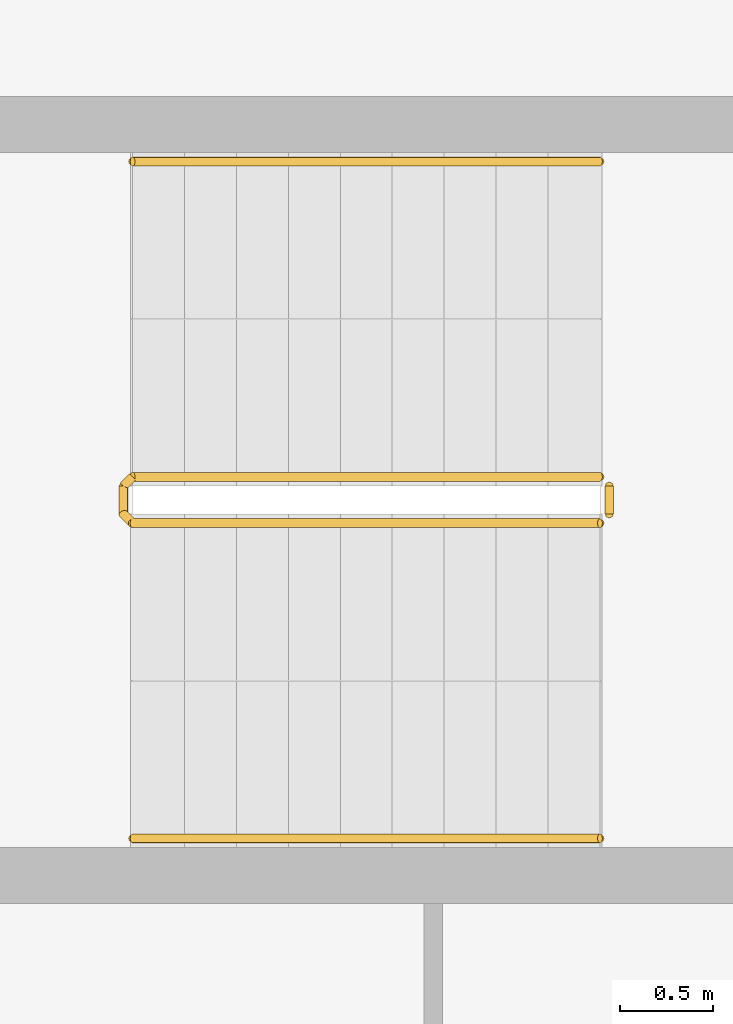
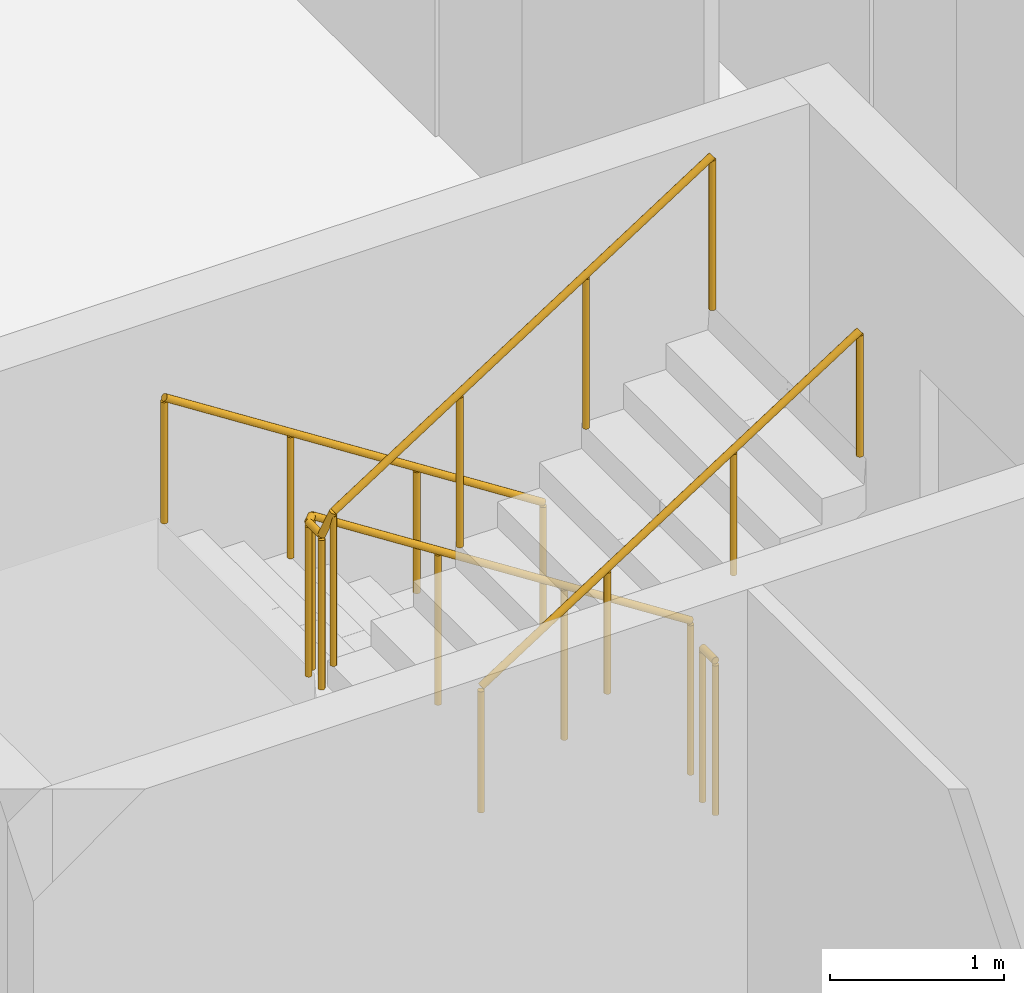
# One storey, part 24 of 27: 4 railings.
"""IFC4 building model written with IfcOpenShell, lengths in metres."""

from ifc_helpers import new_model, si_unit, direction, frame, origin, origin_2d, place, context, subcontext, project, spatial, circle, extrude, material, type_object, element, save


model = new_model("IFC4")

# Units and contexts
model_context = context("Model", 3, precision=1e-05, world=origin(), true_north=direction((0.0, 1.0)))
body_context = subcontext(model_context, "Body", "Model", "MODEL_VIEW")
ifc_project = project(units=[si_unit("LENGTHUNIT", "METRE"), si_unit("AREAUNIT", "SQUARE_METRE"), si_unit("VOLUMEUNIT", "CUBIC_METRE"), si_unit("PLANEANGLEUNIT", "RADIAN"), si_unit("MASSUNIT", "GRAM", prefix="KILO")], contexts=[model_context])

# Site, building, storey
site_placement = place(None, origin())
site = spatial("IfcSite", under=ifc_project, at=site_placement, CompositionType="ELEMENT")
building_placement = place(site_placement, origin())
building = spatial("IfcBuilding", under=site, at=building_placement, Name="Wharfspan Tower", CompositionType="ELEMENT")
storey_placement = place(building_placement, frame((0.0, 0.0, 118.300049)))
storey = spatial("IfcBuildingStorey", under=building, at=storey_placement, Name="L27", CompositionType="ELEMENT", Elevation=118.300049)

# Railings
ifc_material = material(Name="Steel S355J2", Category="steel")
railing_type_1 = type_object("IfcRailingType", Name="Stair guard 1100", PredefinedType="GUARDRAIL", material=ifc_material)
railing_1_placement = place(storey_placement, frame((13.899902, 22.824951, 0.179932)))
element("IfcRailing", 1, at=railing_1_placement, inside=storey, type_object=railing_type_1, Name="L27 ST3 stair guard 1", PredefinedType="GUARDRAIL", context=body_context, shape_type="SweptSolid", body=[
    extrude(circle(Radius=0.023926, at=origin_2d()), frame((0.0, 0.0, 1.076172), z_axis=(-0.841163, 0.0, 0.540782), x_axis=(0.0, -1.0, 0.0)), (0.0, 0.0, 1.0), 2.99585),
    extrude(circle(Radius=0.023926, at=origin_2d()), frame((-2.52002, 0.0, 2.696289), z_axis=(-0.705376, -0.708834, 0.0), x_axis=(0.708834, -0.705376, 0.0)), (0.0, 0.0, 1.0), 0.070557),
    extrude(circle(Radius=0.023926, at=origin_2d()), frame((-2.569824, -0.050049, 2.696289), z_axis=(0.0, -1.0, 0.0), x_axis=(1.0, 0.0, 0.0)), (0.0, 0.0, 1.0), 0.149902),
    extrude(circle(Radius=0.023926, at=origin_2d()), frame((-2.569824, -0.199951, 2.696289), z_axis=(0.257669, -0.258932, 0.930892), x_axis=(0.708833, 0.705372, -1e-06)), (0.0, 0.0, 1.0), 0.193359),
    extrude(circle(Radius=0.023926, at=origin_2d()), frame((-2.52002, -0.25, 2.875977), z_axis=(0.8412, 0.0, 0.540725), x_axis=(0.0, 1.0, 0.0)), (0.0, 0.0, 1.0), 2.99585),
    extrude(circle(Radius=0.020996, at=origin_2d()), origin(), (0.0, 0.0, 1.0), 1.052002),
    extrude(circle(Radius=0.020996, at=origin_2d()), frame((-0.840088, 0.0, 0.540039)), (0.0, 0.0, 1.0), 1.052002),
    extrude(circle(Radius=0.020996, at=origin_2d()), frame((-1.679932, 0.0, 1.080078)), (0.0, 0.0, 1.0), 1.052002),
    extrude(circle(Radius=0.020996, at=origin_2d()), frame((-2.52002, 0.0, 1.620117)), (0.0, 0.0, 1.0), 1.052002),
    extrude(circle(Radius=0.020996, at=origin_2d()), frame((-2.569824, -0.050049, 1.620117)), (0.0, 0.0, 1.0), 1.052002),
    extrude(circle(Radius=0.020996, at=origin_2d()), frame((-2.569824, -0.199951, 1.620117)), (0.0, 0.0, 1.0), 1.052002),
    extrude(circle(Radius=0.020996, at=origin_2d()), frame((-2.52002, -0.25, 1.800049)), (0.0, 0.0, 1.0), 1.052002),
    extrude(circle(Radius=0.020996, at=origin_2d()), frame((-1.679932, -0.25, 2.340088)), (0.0, 0.0, 1.0), 1.052002),
    extrude(circle(Radius=0.020996, at=origin_2d()), frame((-0.840088, -0.25, 2.879883)), (0.0, 0.0, 1.0), 1.052002),
    extrude(circle(Radius=0.020996, at=origin_2d()), frame((0.0, -0.25, 3.419922)), (0.0, 0.0, 1.0), 1.052002),
])
railing_2_placement = place(storey_placement, frame((13.949951, 22.774902, 0.0)))
element("IfcRailing", 2, at=railing_2_placement, inside=storey, type_object=railing_type_1, Name="L27 ST3 stair guard 2", PredefinedType="GUARDRAIL", context=body_context, shape_type="SweptSolid", body=[
    extrude(circle(Radius=0.023926, at=origin_2d()), frame((0.0, 0.0, 1.076172), z_axis=(0.0, -1.0, 0.0), x_axis=(1.0, 0.0, 0.0)), (0.0, 0.0, 1.0), 0.149902),
    extrude(circle(Radius=0.020996, at=origin_2d()), origin(), (0.0, 0.0, 1.0), 1.052002),
    extrude(circle(Radius=0.020996, at=origin_2d()), frame((0.0, -0.149902, 0.0)), (0.0, 0.0, 1.0), 1.052002),
])
railing_type_2 = type_object("IfcRailingType", Name="Stair handrail 900", PredefinedType="HANDRAIL", material=ifc_material)
railing_3_placement = place(storey_placement, frame((13.899902, 24.524902, 0.179932)))
element("IfcRailing", 3, at=railing_3_placement, inside=storey, type_object=railing_type_2, Name="L27 ST3 stair handrail 1", PredefinedType="HANDRAIL", context=body_context, shape_type="SweptSolid", body=[
    extrude(circle(Radius=0.023926, at=origin_2d()), frame((0.0, 0.0, 0.875977), z_axis=(-0.841163, 0.0, 0.540782), x_axis=(0.0, -1.0, 0.0)), (0.0, 0.0, 1.0), 2.99585),
    extrude(circle(Radius=0.020996, at=origin_2d()), origin(), (0.0, 0.0, 1.0), 0.851807),
    extrude(circle(Radius=0.020996, at=origin_2d()), frame((-0.840088, 0.0, 0.540039)), (0.0, 0.0, 1.0), 0.851807),
    extrude(circle(Radius=0.020996, at=origin_2d()), frame((-1.679932, 0.0, 1.080078)), (0.0, 0.0, 1.0), 0.851807),
    extrude(circle(Radius=0.020996, at=origin_2d()), frame((-2.52002, 0.0, 1.620117)), (0.0, 0.0, 1.0), 0.851807),
])
railing_4_placement = place(storey_placement, frame((11.379883, 20.875, 1.97998)))
element("IfcRailing", 4, at=railing_4_placement, inside=storey, type_object=railing_type_2, Name="L27 ST3 stair handrail 2", PredefinedType="HANDRAIL", context=body_context, shape_type="SweptSolid", body=[
    extrude(circle(Radius=0.023926, at=origin_2d()), frame((0.0, 0.0, 0.875977), z_axis=(0.8412, 0.0, 0.540725), x_axis=(0.0, 1.0, 0.0)), (0.0, 0.0, 1.0), 2.99585),
    extrude(circle(Radius=0.020996, at=origin_2d()), origin(), (0.0, 0.0, 1.0), 0.851807),
    extrude(circle(Radius=0.020996, at=origin_2d()), frame((0.840088, 0.0, 0.540039)), (0.0, 0.0, 1.0), 0.851807),
    extrude(circle(Radius=0.020996, at=origin_2d()), frame((1.679932, 0.0, 1.079834)), (0.0, 0.0, 1.0), 0.851807),
    extrude(circle(Radius=0.020996, at=origin_2d()), frame((2.52002, 0.0, 1.619873)), (0.0, 0.0, 1.0), 0.851807),
])

save(model, "model.ifc")
